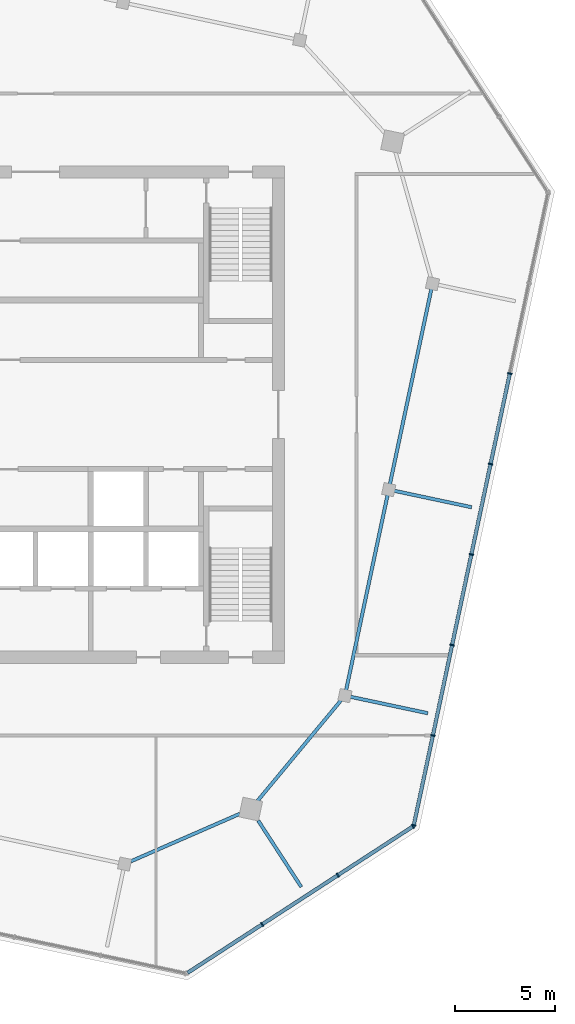
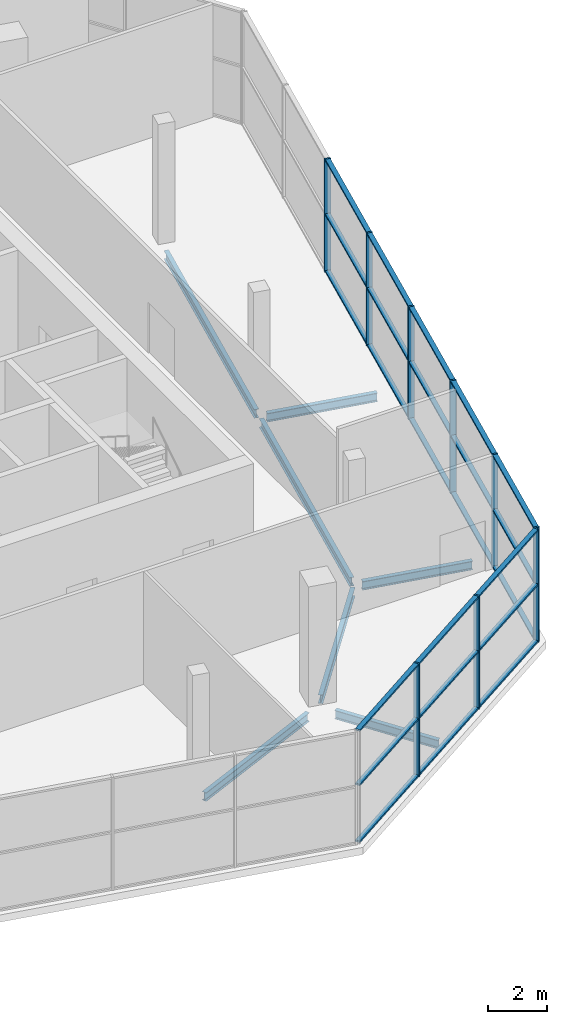
# One storey, part 4 of 11: 33 members, 7 beams, 2 elements without a shape of their own.
"""IFC4 building model written with IfcOpenShell, lengths in metres."""

import ifcopenshell
import ifcopenshell.guid

model = None  # the IFC model being written
_history = None  # IfcOwnerHistory: only IFC2X3 demands one
_inside = {}  # id of a spatial element -> (the spatial element, [elements in it])
_under = {}  # id of a project, library or spatial element -> (it, [spatial elements below it])
_declared = {}  # id of a project -> (the project, [libraries it declares])
_typed = {}  # id of a type object -> (the type object, [elements of that type])
_made_of = {}  # id of a material, layer set ... -> (it, [elements and type objects made of it])


def new_model(schema):
    """Start an empty IFC model of exactly this schema.

    Asked for "IFC4X3", IfcOpenShell would pick the latest addendum, in which some entities
    have other attributes; the version numbers below select the first issue.
    IFC2X3 requires an IfcOwnerHistory on every rooted entity: one is made here for all.
    """
    global model, _history
    if schema == "IFC4X3":
        model = ifcopenshell.file(schema_version=(4, 3, 0, 0))
    else:
        model = ifcopenshell.file(schema=schema)
    _inside.clear()
    _under.clear()
    _declared.clear()
    _typed.clear()
    _made_of.clear()
    _history = None
    if model.schema == "IFC2X3":
        org = make("IfcOrganization", Name="unknown")
        user = make(
            "IfcPersonAndOrganization",
            ThePerson=make("IfcPerson", FamilyName="unknown"),
            TheOrganization=org,
        )
        app = make(
            "IfcApplication",
            ApplicationDeveloper=org,
            Version="unknown",
            ApplicationFullName="unknown",
            ApplicationIdentifier="unknown",
        )
        _history = make(
            "IfcOwnerHistory",
            OwningUser=user,
            OwningApplication=app,
            ChangeAction="ADDED",
            CreationDate=0,
        )
    return model


def make(cls, **values):
    """One entity of the class cls with the attributes given. An attribute that is None is left unset."""
    return model.create_entity(
        cls, **{name: value for name, value in values.items() if value is not None}
    )


def rooted(cls, **values):
    """An entity with a GlobalId (a new one), such as an element, a storey or a relation."""
    return make(cls, GlobalId=ifcopenshell.guid.new(), OwnerHistory=_history, **values)


def si_unit(unit_type, name, prefix=None):
    """IfcSIUnit, for example si_unit("LENGTHUNIT", "METRE", prefix="MILLI")."""
    return make("IfcSIUnit", UnitType=unit_type, Prefix=prefix, Name=name)


def assignment(units):
    """IfcUnitAssignment: the units of a project."""
    return None if units is None else make("IfcUnitAssignment", Units=units)


def point(xyz):
    """IfcCartesianPoint."""
    return None if xyz is None else make("IfcCartesianPoint", Coordinates=xyz)


def direction(xyz):
    """IfcDirection."""
    return None if xyz is None else make("IfcDirection", DirectionRatios=xyz)


def frame(location, z_axis=None, x_axis=None):
    """IfcAxis2Placement3D, a coordinate frame: its origin and axes. An axis left out is left unset."""
    return make(
        "IfcAxis2Placement3D",
        Location=point(location),
        Axis=direction(z_axis),
        RefDirection=direction(x_axis),
    )


def frame_2d(location, x_axis=None):
    """IfcAxis2Placement2D, a coordinate frame in the plane: its origin and x axis."""
    return make(
        "IfcAxis2Placement2D", Location=point(location), RefDirection=direction(x_axis)
    )


def origin():
    """The frame at (0, 0, 0) with its axes left unset."""
    return frame((0.0, 0.0, 0.0))


def origin_2d():
    """The frame at (0, 0) in the plane with its x axis left unset."""
    return frame_2d((0.0, 0.0))


def place(relative_to, where):
    """IfcLocalPlacement: puts the frame where relative to a parent placement (None: the world)."""
    return make(
        "IfcLocalPlacement", PlacementRelTo=relative_to, RelativePlacement=where
    )


def context(
    kind, dimensions, precision=None, world=None, true_north=None, identifier=None
):
    """IfcGeometricRepresentationContext, for example the 3D "Model" context."""
    return make(
        "IfcGeometricRepresentationContext",
        ContextIdentifier=identifier,
        ContextType=kind,
        CoordinateSpaceDimension=dimensions,
        Precision=precision,
        WorldCoordinateSystem=world,
        TrueNorth=true_north,
    )


def subcontext(parent, identifier, kind, view, scale=None):
    """IfcGeometricRepresentationSubContext, for example "Body" below "Model"."""
    return make(
        "IfcGeometricRepresentationSubContext",
        ContextIdentifier=identifier,
        ContextType=kind,
        ParentContext=parent,
        TargetScale=scale,
        TargetView=view,
    )


def project(units=None, contexts=None):
    """IfcProject with its units and contexts."""
    return rooted(
        "IfcProject",
        Name="project",
        RepresentationContexts=contexts,
        UnitsInContext=assignment(units),
    )


def spatial(cls, under=None, at=None, **own):
    """A site, building, storey or space (cls), placed at a placement, below another one or the project."""
    s = rooted(cls, ObjectPlacement=at, **own)
    if under is not None:
        _under.setdefault(under.id(), (under, []))[1].append(s)
    return s


def profile(cls, at=None, kind="AREA", **sizes):
    """A parametric profile (cls). Its sizes go by their IFC names, for example OverallWidth=200.0."""
    return make(cls, ProfileType=kind, Position=at, **sizes)


def rectangle(**sizes):
    """IfcRectangleProfileDef."""
    return profile("IfcRectangleProfileDef", **sizes)


def i_section(**sizes):
    """IfcIShapeProfileDef."""
    return profile("IfcIShapeProfileDef", **sizes)


def extrude(swept, where, along, depth):
    """IfcExtrudedAreaSolid: the profile swept, set in the frame where, extruded along a direction by depth."""
    return make(
        "IfcExtrudedAreaSolid",
        SweptArea=swept,
        Position=where,
        ExtrudedDirection=direction(along),
        Depth=depth,
    )


def shape(context_of_items, identifier, shape_type, items):
    """IfcShapeRepresentation: the items that make up one representation, for example the "Body"."""
    return make(
        "IfcShapeRepresentation",
        ContextOfItems=context_of_items,
        RepresentationIdentifier=identifier,
        RepresentationType=shape_type,
        Items=items,
    )


def material(Name=None, Category=None):
    """IfcMaterial."""
    return make("IfcMaterial", Name=Name, Category=Category)


def material_profile(
    of_material, cross_section, Name=None, Category=None, Priority=None
):
    """IfcMaterialProfile: a cross section and its material."""
    return make(
        "IfcMaterialProfile",
        Name=Name,
        Material=of_material,
        Profile=cross_section,
        Priority=Priority,
        Category=Category,
    )


def profile_set(profiles, Name=None, composite=None):
    """IfcMaterialProfileSet."""
    return make(
        "IfcMaterialProfileSet",
        Name=Name,
        MaterialProfiles=profiles,
        CompositeProfile=composite,
    )


def made_of(thing, what):
    """Note that an element or type object is made of a material, layer set ...; save() writes the relation."""
    if what is not None:
        _made_of.setdefault(what.id(), (what, []))[1].append(thing)
    return thing


def type_object(cls, material=None, **own):
    """A type object (cls), such as IfcWallType, which elements share."""
    return made_of(rooted(cls, **own), material)


def element(
    cls,
    number,
    at=None,
    inside=None,
    cuts=None,
    type_object=None,
    material=None,
    context=None,
    identifier="Body",
    shape_type=None,
    held_by="IfcProductDefinitionShape",
    body=None,
    shapes=None,
    **own,
):
    """One element of the class cls, such as IfcWall. Its Tag is "e" and its number.

    at: its placement. inside: the storey or other place that contains it. cuts: it is an
    opening in that element (IfcRelVoidsElement). A single representation is given by context,
    identifier, shape_type and body (its items); several are given by shapes. held_by: the class
    of the entity that holds the representations. save() writes the other relations.
    """
    e = rooted(cls, Tag="e%d" % number, ObjectPlacement=at, **own)
    if body is not None:
        shapes = [shape(context, identifier, shape_type, body)]
    if shapes is not None:
        e.Representation = make(held_by, Representations=shapes)
    if inside is not None:
        _inside.setdefault(inside.id(), (inside, []))[1].append(e)
    if cuts is not None:
        rooted(
            "IfcRelVoidsElement", RelatingBuildingElement=cuts, RelatedOpeningElement=e
        )
    if type_object is not None:
        _typed.setdefault(type_object.id(), (type_object, []))[1].append(e)
    return made_of(e, material)


def aggregate(whole, parts):
    """IfcRelAggregates: a whole, such as a stair, and the parts it consists of."""
    return rooted("IfcRelAggregates", RelatingObject=whole, RelatedObjects=parts)


def save(model, path):
    """Write the relations noted so far, then the file.

    IfcRelAggregates (storeys below a building ...), IfcRelContainedInSpatialStructure (elements
    in a storey), IfcRelDefinesByType, IfcRelAssociatesMaterial and IfcRelDeclares: one each for
    every whole, place, type object, material and project.
    """
    for whole, parts in _under.values():
        aggregate(whole, parts)
    for where, things in _inside.values():
        rooted(
            "IfcRelContainedInSpatialStructure",
            RelatedElements=things,
            RelatingStructure=where,
        )
    for kind, things in _typed.values():
        rooted("IfcRelDefinesByType", RelatedObjects=things, RelatingType=kind)
    for what, things in _made_of.values():
        rooted("IfcRelAssociatesMaterial", RelatedObjects=things, RelatingMaterial=what)
    for by, libraries in _declared.values():
        rooted("IfcRelDeclares", RelatingContext=by, RelatedDefinitions=libraries)
    model.write(path)


model = new_model("IFC4")

# Units and contexts
model_context = context("Model", 3, precision=1e-05, world=origin(), true_north=direction((0.0, 1.0)))
body_context = subcontext(model_context, "Body", "Model", "MODEL_VIEW")
ifc_project = project(units=[si_unit("LENGTHUNIT", "METRE"), si_unit("AREAUNIT", "SQUARE_METRE"), si_unit("VOLUMEUNIT", "CUBIC_METRE"), si_unit("PLANEANGLEUNIT", "RADIAN"), si_unit("MASSUNIT", "GRAM", prefix="KILO")], contexts=[model_context])

# Site, building, storey
site_placement = place(None, origin())
site = spatial("IfcSite", under=ifc_project, at=site_placement, CompositionType="ELEMENT")
building_placement = place(site_placement, origin())
building = spatial("IfcBuilding", under=site, at=building_placement, Name="Dilmun Exchange Tower", CompositionType="ELEMENT")
storey_placement = place(building_placement, frame((0.0, 0.0, 363.10009765625)))
storey = spatial("IfcBuildingStorey", under=building, at=storey_placement, Name="Crown L85", CompositionType="ELEMENT", Elevation=363.10009765625)

# Curtain wall, members
ifc_material_1 = material(Name="Anodised aluminium and clear glass", Category="aluminium")
curtain_wall_type = type_object("IfcCurtainWallType", Name="Sky garden glazing", PredefinedType="NOTDEFINED", material=ifc_material_1)
curtain_wall_1_placement = place(storey_placement, origin())
curtain_wall_1 = element("IfcCurtainWall", 1, at=curtain_wall_1_placement, inside=storey, type_object=curtain_wall_type, Name="Sky garden glazing run SG2", PredefinedType="NOTDEFINED")
ifc_material_2 = material(Name="Anodised aluminium", Category="aluminium")
ifc_material_profile_1 = material_profile(ifc_material_2, rectangle(XDim=0.219970703125, YDim=0.070068359375, at=origin_2d()), Name="AL 70x220")
ifc_profile_set_1 = profile_set([ifc_material_profile_1], Name="Anodised aluminium")
member_type_1 = type_object("IfcMemberType", Name="Sky garden glazing mullion 70 x 220", PredefinedType="MULLION", material=ifc_profile_set_1)
member_1_placement = place(storey_placement, frame((11.293701171875, -25.41943359375, 0.0), z_axis=(0.0, 0.0, 1.0), x_axis=(-0.544644325751, 0.838667132077, 0.0)))
member_1 = element("IfcMember", 2, at=member_1_placement, type_object=member_type_1, Name="SG2 mullion 2", PredefinedType="MULLION", context=body_context, shape_type="SweptSolid", body=[
    extrude(rectangle(XDim=0.219970703125, YDim=0.070068359375, at=origin_2d()), origin(), (0.0, 0.0, 1.0), 4.699951171875),
])
member_2_placement = place(storey_placement, frame((15.070068359375, -22.967041015625, 0.0), z_axis=(0.0, 0.0, 1.0), x_axis=(-0.544644325751, 0.838667132077, 0.0)))
member_2 = element("IfcMember", 3, at=member_2_placement, type_object=member_type_1, Name="SG2 mullion 3", PredefinedType="MULLION", context=body_context, shape_type="SweptSolid", body=[
    extrude(rectangle(XDim=0.219970703125, YDim=0.070068359375, at=origin_2d()), origin(), (0.0, 0.0, 1.0), 4.699951171875),
])
member_3_placement = place(storey_placement, frame((18.817138671875, -20.533447265625, 0.0), z_axis=(0.0, 0.0, 1.0), x_axis=(-0.544644325751, 0.838667132077, 0.0)))
member_3 = element("IfcMember", 4, at=member_3_placement, type_object=member_type_1, Name="SG2 mullion 4", PredefinedType="MULLION", context=body_context, shape_type="SweptSolid", body=[
    extrude(rectangle(XDim=0.219970703125, YDim=0.070068359375, at=origin_2d()), origin(), (0.0, 0.0, 1.0), 4.699951171875),
])

curtain_wall_2_placement = place(storey_placement, origin())
curtain_wall_2 = element("IfcCurtainWall", 5, at=curtain_wall_2_placement, inside=storey, type_object=curtain_wall_type, Name="Sky garden glazing run SG3", PredefinedType="NOTDEFINED")
member_4_placement = place(storey_placement, frame((18.853759765625, -20.480224609375, 0.0), z_axis=(0.0, 0.0, 1.0), x_axis=(-0.978147226228, 0.207913452722, 0.0)))
member_4 = element("IfcMember", 6, at=member_4_placement, type_object=member_type_1, Name="SG3 mullion 1", PredefinedType="MULLION", context=body_context, shape_type="SweptSolid", body=[
    extrude(rectangle(XDim=0.219970703125, YDim=0.070068359375, at=origin_2d()), origin(), (0.0, 0.0, 1.0), 4.699951171875),
])
member_5_placement = place(storey_placement, frame((19.805908203125, -16.001708984375, 0.0), z_axis=(0.0, 0.0, 1.0), x_axis=(-0.978147226228, 0.207913452722, 0.0)))
member_5 = element("IfcMember", 7, at=member_5_placement, type_object=member_type_1, Name="SG3 mullion 2", PredefinedType="MULLION", context=body_context, shape_type="SweptSolid", body=[
    extrude(rectangle(XDim=0.219970703125, YDim=0.070068359375, at=origin_2d()), origin(), (0.0, 0.0, 1.0), 4.699951171875),
])
member_6_placement = place(storey_placement, frame((20.76513671875, -11.48876953125, 0.0), z_axis=(0.0, 0.0, 1.0), x_axis=(-0.978147226228, 0.207913452722, 0.0)))
member_6 = element("IfcMember", 8, at=member_6_placement, type_object=member_type_1, Name="SG3 mullion 3", PredefinedType="MULLION", context=body_context, shape_type="SweptSolid", body=[
    extrude(rectangle(XDim=0.219970703125, YDim=0.070068359375, at=origin_2d()), origin(), (0.0, 0.0, 1.0), 4.699951171875),
])
member_7_placement = place(storey_placement, frame((21.724365234375, -6.97607421875, 0.0), z_axis=(0.0, 0.0, 1.0), x_axis=(-0.978147226228, 0.207913452722, 0.0)))
member_7 = element("IfcMember", 9, at=member_7_placement, type_object=member_type_1, Name="SG3 mullion 4", PredefinedType="MULLION", context=body_context, shape_type="SweptSolid", body=[
    extrude(rectangle(XDim=0.219970703125, YDim=0.070068359375, at=origin_2d()), origin(), (0.0, 0.0, 1.0), 4.699951171875),
])
member_8_placement = place(storey_placement, frame((22.68359375, -2.463134765625, 0.0), z_axis=(0.0, 0.0, 1.0), x_axis=(-0.978147226228, 0.207913452722, 0.0)))
member_8 = element("IfcMember", 10, at=member_8_placement, type_object=member_type_1, Name="SG3 mullion 5", PredefinedType="MULLION", context=body_context, shape_type="SweptSolid", body=[
    extrude(rectangle(XDim=0.219970703125, YDim=0.070068359375, at=origin_2d()), origin(), (0.0, 0.0, 1.0), 4.699951171875),
])
member_9_placement = place(storey_placement, frame((23.642822265625, 2.0498046875, 0.0), z_axis=(0.0, 0.0, 1.0), x_axis=(-0.978147226228, 0.207913452722, 0.0)))
member_9 = element("IfcMember", 11, at=member_9_placement, type_object=member_type_1, Name="SG3 mullion 6", PredefinedType="MULLION", context=body_context, shape_type="SweptSolid", body=[
    extrude(rectangle(XDim=0.219970703125, YDim=0.070068359375, at=origin_2d()), origin(), (0.0, 0.0, 1.0), 4.699951171875),
])

# Member
ifc_material_profile_2 = material_profile(ifc_material_2, rectangle(XDim=0.179931640625, YDim=0.070068359375, at=origin_2d()), Name="AL 70x180")
ifc_profile_set_2 = profile_set([ifc_material_profile_2], Name="Anodised aluminium")
member_type_2 = type_object("IfcMemberType", Name="Sky garden glazing transom 70 x 180", PredefinedType="USERDEFINED", material=ifc_profile_set_2)
member_10_placement = place(storey_placement, frame((7.575927734375, -27.833984375, 0.034912109375), z_axis=(0.838651548618, 0.544668321091, 0.0), x_axis=(-0.544668321091, 0.838651548618, 0.0)))
member_10 = element("IfcMember", 12, at=member_10_placement, type_object=member_type_2, Name="SG2 transom 1.1", ObjectType="TRANSOM", PredefinedType="USERDEFINED", context=body_context, shape_type="SweptSolid", body=[
    extrude(rectangle(XDim=0.179931640625, YDim=0.070068359375, at=origin_2d()), origin(), (0.0, 0.0, 1.0), 4.398193359375),
])

member_11_placement = place(storey_placement, frame((7.575927734375, -27.833984375, 2.39990234375), z_axis=(0.838651548618, 0.544668321091, 0.0), x_axis=(-0.544668321091, 0.838651548618, 0.0)))
member_11 = element("IfcMember", 13, at=member_11_placement, type_object=member_type_2, Name="SG2 transom 1.2", ObjectType="TRANSOM", PredefinedType="USERDEFINED", context=body_context, shape_type="SweptSolid", body=[
    extrude(rectangle(XDim=0.179931640625, YDim=0.070068359375, at=origin_2d()), origin(), (0.0, 0.0, 1.0), 4.398193359375),
])

member_12_placement = place(storey_placement, frame((7.575927734375, -27.833984375, 4.664794921875), z_axis=(0.838651548618, 0.544668321091, 0.0), x_axis=(-0.544668321091, 0.838651548618, 0.0)))
member_12 = element("IfcMember", 14, at=member_12_placement, type_object=member_type_2, Name="SG2 transom 1.3", ObjectType="TRANSOM", PredefinedType="USERDEFINED", context=body_context, shape_type="SweptSolid", body=[
    extrude(rectangle(XDim=0.179931640625, YDim=0.070068359375, at=origin_2d()), origin(), (0.0, 0.0, 1.0), 4.398193359375),
])

member_13_placement = place(storey_placement, frame((11.322998046875, -25.400390625, 0.034912109375), z_axis=(0.838675066642, 0.544632107567, 0.0), x_axis=(-0.544632107567, 0.838675066642, 0.0)))
member_13 = element("IfcMember", 15, at=member_13_placement, type_object=member_type_2, Name="SG2 transom 2.1", ObjectType="TRANSOM", PredefinedType="USERDEFINED", context=body_context, shape_type="SweptSolid", body=[
    extrude(rectangle(XDim=0.179931640625, YDim=0.070068359375, at=origin_2d()), origin(), (0.0, 0.0, 1.0), 4.432861328125),
])

member_14_placement = place(storey_placement, frame((11.322998046875, -25.400390625, 2.39990234375), z_axis=(0.838675066642, 0.544632107567, 0.0), x_axis=(-0.544632107567, 0.838675066642, 0.0)))
member_14 = element("IfcMember", 16, at=member_14_placement, type_object=member_type_2, Name="SG2 transom 2.2", ObjectType="TRANSOM", PredefinedType="USERDEFINED", context=body_context, shape_type="SweptSolid", body=[
    extrude(rectangle(XDim=0.179931640625, YDim=0.070068359375, at=origin_2d()), origin(), (0.0, 0.0, 1.0), 4.432861328125),
])

member_15_placement = place(storey_placement, frame((11.322998046875, -25.400390625, 4.664794921875), z_axis=(0.838675066642, 0.544632107567, 0.0), x_axis=(-0.544632107567, 0.838675066642, 0.0)))
member_15 = element("IfcMember", 17, at=member_15_placement, type_object=member_type_2, Name="SG2 transom 2.3", ObjectType="TRANSOM", PredefinedType="USERDEFINED", context=body_context, shape_type="SweptSolid", body=[
    extrude(rectangle(XDim=0.179931640625, YDim=0.070068359375, at=origin_2d()), origin(), (0.0, 0.0, 1.0), 4.432861328125),
])

member_16_placement = place(storey_placement, frame((15.099365234375, -22.947998046875, 0.034912109375), z_axis=(0.838676904914, 0.544629276815, 0.0), x_axis=(-0.544629276815, 0.838676904914, 0.0)))
member_16 = element("IfcMember", 18, at=member_16_placement, type_object=member_type_2, Name="SG2 transom 3.1", ObjectType="TRANSOM", PredefinedType="USERDEFINED", context=body_context, shape_type="SweptSolid", body=[
    extrude(rectangle(XDim=0.179931640625, YDim=0.070068359375, at=origin_2d()), origin(), (0.0, 0.0, 1.0), 4.39794921875),
])

member_17_placement = place(storey_placement, frame((15.099365234375, -22.947998046875, 2.39990234375), z_axis=(0.838676904914, 0.544629276815, 0.0), x_axis=(-0.544629276815, 0.838676904914, 0.0)))
member_17 = element("IfcMember", 19, at=member_17_placement, type_object=member_type_2, Name="SG2 transom 3.2", ObjectType="TRANSOM", PredefinedType="USERDEFINED", context=body_context, shape_type="SweptSolid", body=[
    extrude(rectangle(XDim=0.179931640625, YDim=0.070068359375, at=origin_2d()), origin(), (0.0, 0.0, 1.0), 4.39794921875),
])

member_18_placement = place(storey_placement, frame((15.099365234375, -22.947998046875, 4.664794921875), z_axis=(0.838676904914, 0.544629276815, 0.0), x_axis=(-0.544629276815, 0.838676904914, 0.0)))
member_18 = element("IfcMember", 20, at=member_18_placement, type_object=member_type_2, Name="SG2 transom 3.3", ObjectType="TRANSOM", PredefinedType="USERDEFINED", context=body_context, shape_type="SweptSolid", body=[
    extrude(rectangle(XDim=0.179931640625, YDim=0.070068359375, at=origin_2d()), origin(), (0.0, 0.0, 1.0), 4.39794921875),
])

aggregate(curtain_wall_1, [member_1, member_2, member_3, member_10, member_11, member_12, member_13, member_14, member_15, member_16, member_17, member_18])

member_19_placement = place(storey_placement, frame((18.861083984375, -20.446044921875, 0.034912109375), z_axis=(0.207931288214, 0.978143434973, 0.0), x_axis=(-0.978143434973, 0.207931288214, 0.0)))
member_19 = element("IfcMember", 21, at=member_19_placement, type_object=member_type_2, Name="SG3 transom 1.1", ObjectType="TRANSOM", PredefinedType="USERDEFINED", context=body_context, shape_type="SweptSolid", body=[
    extrude(rectangle(XDim=0.179931640625, YDim=0.070068359375, at=origin_2d()), origin(), (0.0, 0.0, 1.0), 4.5087890625),
])

member_20_placement = place(storey_placement, frame((18.861083984375, -20.446044921875, 2.39990234375), z_axis=(0.207931288214, 0.978143434973, 0.0), x_axis=(-0.978143434973, 0.207931288214, 0.0)))
member_20 = element("IfcMember", 22, at=member_20_placement, type_object=member_type_2, Name="SG3 transom 1.2", ObjectType="TRANSOM", PredefinedType="USERDEFINED", context=body_context, shape_type="SweptSolid", body=[
    extrude(rectangle(XDim=0.179931640625, YDim=0.070068359375, at=origin_2d()), origin(), (0.0, 0.0, 1.0), 4.5087890625),
])

member_21_placement = place(storey_placement, frame((18.861083984375, -20.446044921875, 4.664794921875), z_axis=(0.207931288214, 0.978143434973, 0.0), x_axis=(-0.978143434973, 0.207931288214, 0.0)))
member_21 = element("IfcMember", 23, at=member_21_placement, type_object=member_type_2, Name="SG3 transom 1.3", ObjectType="TRANSOM", PredefinedType="USERDEFINED", context=body_context, shape_type="SweptSolid", body=[
    extrude(rectangle(XDim=0.179931640625, YDim=0.070068359375, at=origin_2d()), origin(), (0.0, 0.0, 1.0), 4.5087890625),
])

member_22_placement = place(storey_placement, frame((19.813232421875, -15.967529296875, 0.034912109375), z_axis=(0.207881247006, 0.978154071271, 0.0), x_axis=(-0.978154071271, 0.207881247006, 0.0)))
member_22 = element("IfcMember", 24, at=member_22_placement, type_object=member_type_2, Name="SG3 transom 2.1", ObjectType="TRANSOM", PredefinedType="USERDEFINED", context=body_context, shape_type="SweptSolid", body=[
    extrude(rectangle(XDim=0.179931640625, YDim=0.070068359375, at=origin_2d()), origin(), (0.0, 0.0, 1.0), 4.5439453125),
])

member_23_placement = place(storey_placement, frame((19.813232421875, -15.967529296875, 2.39990234375), z_axis=(0.207881247006, 0.978154071271, 0.0), x_axis=(-0.978154071271, 0.207881247006, 0.0)))
member_23 = element("IfcMember", 25, at=member_23_placement, type_object=member_type_2, Name="SG3 transom 2.2", ObjectType="TRANSOM", PredefinedType="USERDEFINED", context=body_context, shape_type="SweptSolid", body=[
    extrude(rectangle(XDim=0.179931640625, YDim=0.070068359375, at=origin_2d()), origin(), (0.0, 0.0, 1.0), 4.5439453125),
])

member_24_placement = place(storey_placement, frame((19.813232421875, -15.967529296875, 4.664794921875), z_axis=(0.207881247006, 0.978154071271, 0.0), x_axis=(-0.978154071271, 0.207881247006, 0.0)))
member_24 = element("IfcMember", 26, at=member_24_placement, type_object=member_type_2, Name="SG3 transom 2.3", ObjectType="TRANSOM", PredefinedType="USERDEFINED", context=body_context, shape_type="SweptSolid", body=[
    extrude(rectangle(XDim=0.179931640625, YDim=0.070068359375, at=origin_2d()), origin(), (0.0, 0.0, 1.0), 4.5439453125),
])

member_25_placement = place(storey_placement, frame((20.7724609375, -11.45458984375, 0.034912109375), z_axis=(0.207892173013, 0.978151749168, 0.0), x_axis=(-0.978151749168, 0.207892173013, 0.0)))
member_25 = element("IfcMember", 27, at=member_25_placement, type_object=member_type_2, Name="SG3 transom 3.1", ObjectType="TRANSOM", PredefinedType="USERDEFINED", context=body_context, shape_type="SweptSolid", body=[
    extrude(rectangle(XDim=0.179931640625, YDim=0.070068359375, at=origin_2d()), origin(), (0.0, 0.0, 1.0), 4.543701171875),
])

member_26_placement = place(storey_placement, frame((20.7724609375, -11.45458984375, 2.39990234375), z_axis=(0.207892173013, 0.978151749168, 0.0), x_axis=(-0.978151749168, 0.207892173013, 0.0)))
member_26 = element("IfcMember", 28, at=member_26_placement, type_object=member_type_2, Name="SG3 transom 3.2", ObjectType="TRANSOM", PredefinedType="USERDEFINED", context=body_context, shape_type="SweptSolid", body=[
    extrude(rectangle(XDim=0.179931640625, YDim=0.070068359375, at=origin_2d()), origin(), (0.0, 0.0, 1.0), 4.543701171875),
])

member_27_placement = place(storey_placement, frame((20.7724609375, -11.45458984375, 4.664794921875), z_axis=(0.207892173013, 0.978151749168, 0.0), x_axis=(-0.978151749168, 0.207892173013, 0.0)))
member_27 = element("IfcMember", 29, at=member_27_placement, type_object=member_type_2, Name="SG3 transom 3.3", ObjectType="TRANSOM", PredefinedType="USERDEFINED", context=body_context, shape_type="SweptSolid", body=[
    extrude(rectangle(XDim=0.179931640625, YDim=0.070068359375, at=origin_2d()), origin(), (0.0, 0.0, 1.0), 4.543701171875),
])

member_28_placement = place(storey_placement, frame((21.731689453125, -6.941650390625, 0.034912109375), z_axis=(0.207892173013, 0.978151749168, 0.0), x_axis=(-0.978151749168, 0.207892173013, 0.0)))
member_28 = element("IfcMember", 30, at=member_28_placement, type_object=member_type_2, Name="SG3 transom 4.1", ObjectType="TRANSOM", PredefinedType="USERDEFINED", context=body_context, shape_type="SweptSolid", body=[
    extrude(rectangle(XDim=0.179931640625, YDim=0.070068359375, at=origin_2d()), origin(), (0.0, 0.0, 1.0), 4.543701171875),
])

member_29_placement = place(storey_placement, frame((21.731689453125, -6.941650390625, 2.39990234375), z_axis=(0.207892173013, 0.978151749168, 0.0), x_axis=(-0.978151749168, 0.207892173013, 0.0)))
member_29 = element("IfcMember", 31, at=member_29_placement, type_object=member_type_2, Name="SG3 transom 4.2", ObjectType="TRANSOM", PredefinedType="USERDEFINED", context=body_context, shape_type="SweptSolid", body=[
    extrude(rectangle(XDim=0.179931640625, YDim=0.070068359375, at=origin_2d()), origin(), (0.0, 0.0, 1.0), 4.543701171875),
])

member_30_placement = place(storey_placement, frame((21.731689453125, -6.941650390625, 4.664794921875), z_axis=(0.207892173013, 0.978151749168, 0.0), x_axis=(-0.978151749168, 0.207892173013, 0.0)))
member_30 = element("IfcMember", 32, at=member_30_placement, type_object=member_type_2, Name="SG3 transom 4.3", ObjectType="TRANSOM", PredefinedType="USERDEFINED", context=body_context, shape_type="SweptSolid", body=[
    extrude(rectangle(XDim=0.179931640625, YDim=0.070068359375, at=origin_2d()), origin(), (0.0, 0.0, 1.0), 4.543701171875),
])

member_31_placement = place(storey_placement, frame((22.69091796875, -2.428955078125, 0.034912109375), z_axis=(0.207892173013, 0.978151749168, 0.0), x_axis=(-0.978151749168, 0.207892173013, 0.0)))
member_31 = element("IfcMember", 33, at=member_31_placement, type_object=member_type_2, Name="SG3 transom 5.1", ObjectType="TRANSOM", PredefinedType="USERDEFINED", context=body_context, shape_type="SweptSolid", body=[
    extrude(rectangle(XDim=0.179931640625, YDim=0.070068359375, at=origin_2d()), origin(), (0.0, 0.0, 1.0), 4.543701171875),
])

member_32_placement = place(storey_placement, frame((22.69091796875, -2.428955078125, 2.39990234375), z_axis=(0.207892173013, 0.978151749168, 0.0), x_axis=(-0.978151749168, 0.207892173013, 0.0)))
member_32 = element("IfcMember", 34, at=member_32_placement, type_object=member_type_2, Name="SG3 transom 5.2", ObjectType="TRANSOM", PredefinedType="USERDEFINED", context=body_context, shape_type="SweptSolid", body=[
    extrude(rectangle(XDim=0.179931640625, YDim=0.070068359375, at=origin_2d()), origin(), (0.0, 0.0, 1.0), 4.543701171875),
])

member_33_placement = place(storey_placement, frame((22.69091796875, -2.428955078125, 4.664794921875), z_axis=(0.207892173013, 0.978151749168, 0.0), x_axis=(-0.978151749168, 0.207892173013, 0.0)))
member_33 = element("IfcMember", 35, at=member_33_placement, type_object=member_type_2, Name="SG3 transom 5.3", ObjectType="TRANSOM", PredefinedType="USERDEFINED", context=body_context, shape_type="SweptSolid", body=[
    extrude(rectangle(XDim=0.179931640625, YDim=0.070068359375, at=origin_2d()), origin(), (0.0, 0.0, 1.0), 4.543701171875),
])

aggregate(curtain_wall_2, [member_4, member_5, member_6, member_7, member_8, member_9, member_19, member_20, member_21, member_22, member_23, member_24, member_25, member_26, member_27, member_28, member_29, member_30, member_31, member_32, member_33])

# Beams
ifc_material_3 = material(Name="Steel S355", Category="steel")
ifc_material_profile_3 = material_profile(ifc_material_3, i_section(OverallWidth=0.169921875, OverallDepth=0.360107421875, WebThickness=0.008056640625, FlangeThickness=0.0126953125, FilletRadius=0.01806640625, at=origin_2d()), Name="IPE 360")
ifc_profile_set_3 = profile_set([ifc_material_profile_3], Name="Steel S355")
beam_type_1 = type_object("IfcBeamType", Name="crown cantilever beam IPE 360", PredefinedType="BEAM", material=ifc_profile_set_3)
beam_1_placement = place(storey_placement, frame((11.095458984375, -20.240478515625, -0.47998046875), z_axis=(0.544631981942, -0.838675148222, 0.0), x_axis=(0.838675148222, 0.544631981942, 0.0)))
element("IfcBeam", 36, at=beam_1_placement, inside=storey, type_object=beam_type_1, Name="Crown cantilever beam 9", PredefinedType="BEAM", context=body_context, shape_type="SweptSolid", body=[
    extrude(i_section(OverallWidth=0.169921875, OverallDepth=0.360107421875, WebThickness=0.008056640625, FlangeThickness=0.0126953125, FilletRadius=0.01806640625, at=origin_2d()), origin(), (0.0, 0.0, 1.0), 3.94970703125),
])
for number, where, z_axis, x_axis, name in (
    (37, (15.69091796875, -14.06982421875, -0.47998046875), (0.978146596989, -0.207916413008, 0.0), (0.207916413008, 0.978146596989, 0.0), "Crown cantilever beam 10"),
    (38, (17.8740234375, -3.798828125, -0.47998046875), (0.978146596989, -0.207916413008, 0.0), (0.207916413008, 0.978146596989, 0.0), "Crown cantilever beam 11"),
):
    element("IfcBeam", number, at=place(storey_placement, frame(where, z_axis=z_axis, x_axis=x_axis)), inside=storey, type_object=beam_type_1, Name=name, PredefinedType="BEAM", context=body_context, shape_type="SweptSolid", body=[
        extrude(i_section(OverallWidth=0.169921875, OverallDepth=0.360107421875, WebThickness=0.008056640625, FlangeThickness=0.0126953125, FilletRadius=0.01806640625, at=origin_2d()), origin(), (0.0, 0.0, 1.0), 3.9501953125),
    ])
ifc_material_profile_4 = material_profile(ifc_material_3, i_section(OverallWidth=0.169921875, OverallDepth=0.360107421875, WebThickness=0.008056640625, FlangeThickness=0.0126953125, FilletRadius=0.01806640625, at=origin_2d()), Name="IPE 360")
ifc_profile_set_4 = profile_set([ifc_material_profile_4], Name="Steel S355")
beam_type_2 = type_object("IfcBeamType", Name="crown ring beam IPE 360", PredefinedType="BEAM", material=ifc_profile_set_4)
beam_2_placement = place(storey_placement, frame((4.750244140625, -22.275390625, -0.47998046875), z_axis=(0.916630994698, 0.399734436294, 0.0), x_axis=(-0.399734436294, 0.916630994698, 0.0)))
element("IfcBeam", 39, at=beam_2_placement, inside=storey, type_object=beam_type_2, Name="Crown ring beam 8", PredefinedType="BEAM", context=body_context, shape_type="SweptSolid", body=[
    extrude(i_section(OverallWidth=0.169921875, OverallDepth=0.360107421875, WebThickness=0.008056640625, FlangeThickness=0.0126953125, FilletRadius=0.01806640625, at=origin_2d()), origin(), (0.0, 0.0, 1.0), 5.930419921875),
])
beam_3_placement = place(storey_placement, frame((11.068603515625, -19.25634765625, -0.47998046875), z_axis=(0.638957852537, 0.76924174528, 0.0), x_axis=(-0.76924174528, 0.638957852537, 0.0)))
element("IfcBeam", 40, at=beam_3_placement, inside=storey, type_object=beam_type_2, Name="Crown ring beam 9", PredefinedType="BEAM", context=body_context, shape_type="SweptSolid", body=[
    extrude(i_section(OverallWidth=0.169921875, OverallDepth=0.360107421875, WebThickness=0.008056640625, FlangeThickness=0.0126953125, FilletRadius=0.01806640625, at=origin_2d()), origin(), (0.0, 0.0, 1.0), 6.50439453125),
])
beam_4_placement = place(storey_placement, frame((15.480712890625, -13.74609375, -0.47998046875), z_axis=(0.207902460752, 0.978149562599, 0.0), x_axis=(-0.978149562599, 0.207902460752, 0.0)))
element("IfcBeam", 41, at=beam_4_placement, inside=storey, type_object=beam_type_2, Name="Crown ring beam 10", PredefinedType="BEAM", context=body_context, shape_type="SweptSolid", body=[
    extrude(i_section(OverallWidth=0.169921875, OverallDepth=0.360107421875, WebThickness=0.008056640625, FlangeThickness=0.0126953125, FilletRadius=0.01806640625, at=origin_2d()), origin(), (0.0, 0.0, 1.0), 9.95458984375),
])
beam_5_placement = place(storey_placement, frame((17.663818359375, -3.47509765625, -0.47998046875), z_axis=(0.207898944968, 0.978150309861, 0.0), x_axis=(-0.978150309861, 0.207898944968, 0.0)))
element("IfcBeam", 42, at=beam_5_placement, inside=storey, type_object=beam_type_2, Name="Crown ring beam 11", PredefinedType="BEAM", context=body_context, shape_type="SweptSolid", body=[
    extrude(i_section(OverallWidth=0.169921875, OverallDepth=0.360107421875, WebThickness=0.008056640625, FlangeThickness=0.0126953125, FilletRadius=0.01806640625, at=origin_2d()), origin(), (0.0, 0.0, 1.0), 9.95361328125),
])

save(model, "model.ifc")
